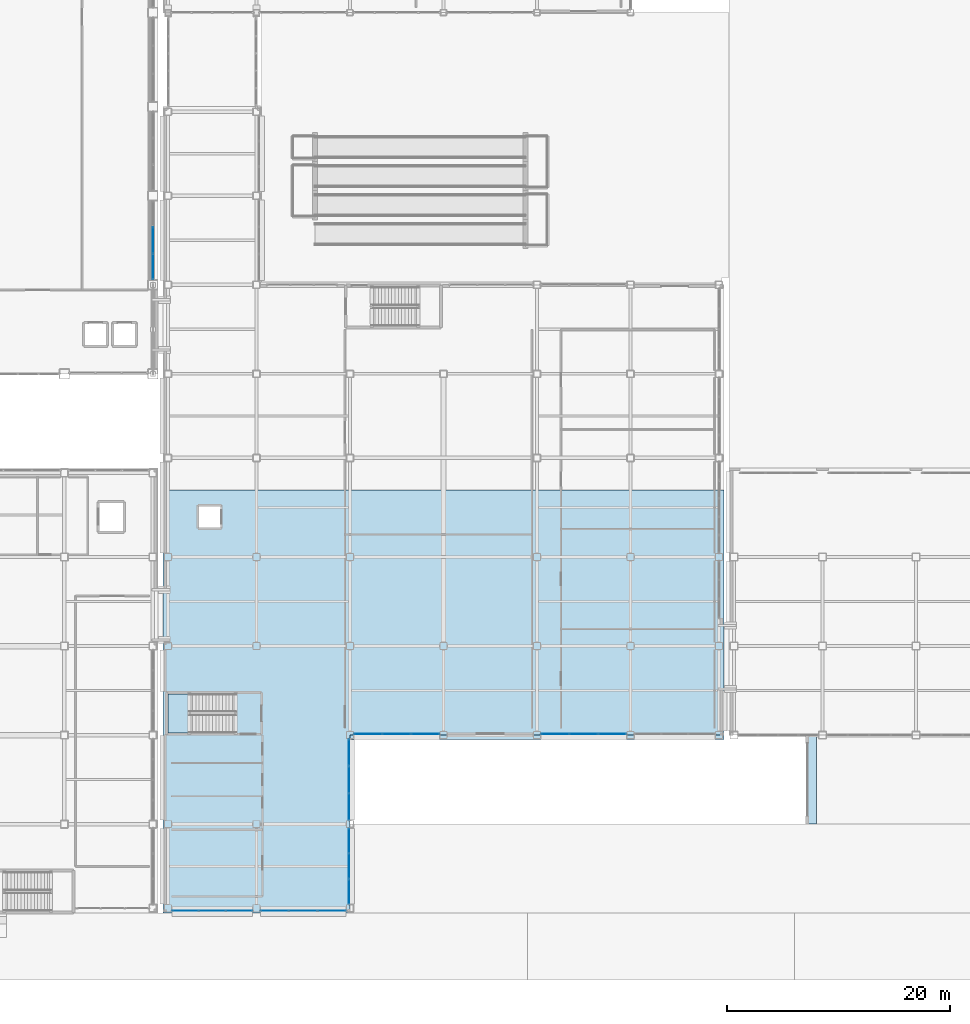
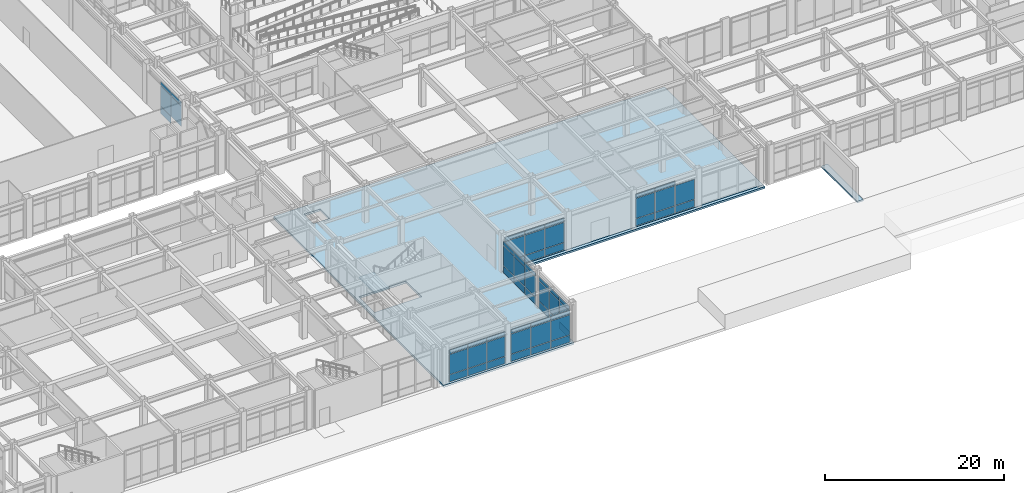
# One storey, part 112 of 165: 58 plates, 4 slabs, 8 elements without a shape of their own.
"""IFC4 building model written with IfcOpenShell, lengths in metres."""

from ifc_helpers import new_model, si_unit, direction, frame, origin, origin_2d, place, context, subcontext, project, spatial, polyline, rectangle, outline, extrude, material, layer, layer_set, type_object, element, aggregate, save


model = new_model("IFC4")

# Units and contexts
model_context = context("Model", 3, precision=1e-05, world=origin(), true_north=direction((0.0, 1.0)))
body_context = subcontext(model_context, "Body", "Model", "MODEL_VIEW")
ifc_project = project(units=[si_unit("LENGTHUNIT", "METRE"), si_unit("AREAUNIT", "SQUARE_METRE"), si_unit("VOLUMEUNIT", "CUBIC_METRE"), si_unit("PLANEANGLEUNIT", "RADIAN"), si_unit("MASSUNIT", "GRAM", prefix="KILO")], contexts=[model_context])

# Site, building, storey
site_placement = place(None, origin())
site = spatial("IfcSite", under=ifc_project, at=site_placement, CompositionType="ELEMENT")
building_placement = place(site_placement, origin())
building = spatial("IfcBuilding", under=site, at=building_placement, Name="Kazehara Bluff Congress Hotel", CompositionType="ELEMENT")
storey_placement = place(building_placement, origin())
storey = spatial("IfcBuildingStorey", under=building, at=storey_placement, Name="L00", CompositionType="ELEMENT", Elevation=0.0)

# Curtain wall, plates
ifc_material_1 = material(Name="Anodised aluminium", Category="aluminium")
ifc_layer_1 = layer(ifc_material_1, 0.159912109375)
ifc_layer_set_1 = layer_set([ifc_layer_1], Name="Anodised aluminium")
curtain_wall_type_1 = type_object("IfcCurtainWallType", Name="TP-CW-17", PredefinedType="NOTDEFINED", material=ifc_layer_set_1)
curtain_wall_1_placement = place(storey_placement, origin())
curtain_wall_1 = element("IfcCurtainWall", 1, at=curtain_wall_1_placement, inside=storey, type_object=curtain_wall_type_1, Name="L00 curtain wall CW-17 CW-V1-L00-X5835-5690", PredefinedType="NOTDEFINED")
ifc_material_2 = material(Name="Insulated low-E double glazing", Category="glass")
ifc_layer_2 = layer(ifc_material_2, 0.031982421875)
ifc_layer_set_2 = layer_set([ifc_layer_2], Name="Insulated low-E double glazing")
plate_type = type_object("IfcPlateType", Name="TP-CWP-02", PredefinedType="CURTAIN_PANEL", material=ifc_layer_set_2)
plate_1_placement = place(storey_placement, frame((58.35009765625, 58.100830078125, 1.08251953125), z_axis=(0.0, 0.0, 1.0), x_axis=(0.0, 1.0, 0.0)))
plate_1 = element("IfcPlate", 2, at=plate_1_placement, type_object=plate_type, Name="CW-17 panel 1.2", PredefinedType="CURTAIN_PANEL", context=body_context, shape_type="SweptSolid", body=[
    extrude(rectangle(XDim=2.26171875, YDim=0.031982421875, at=origin_2d()), origin(), (0.0, 0.0, 1.0), 2.7099609375),
])
plate_2_placement = place(storey_placement, frame((58.35009765625, 58.100830078125, 3.857421875), z_axis=(0.0, 0.0, 1.0), x_axis=(0.0, 1.0, 0.0)))
plate_2 = element("IfcPlate", 3, at=plate_2_placement, type_object=plate_type, Name="CW-17 panel 1.3", PredefinedType="CURTAIN_PANEL", context=body_context, shape_type="SweptSolid", body=[
    extrude(rectangle(XDim=2.26171875, YDim=0.031982421875, at=origin_2d()), origin(), (0.0, 0.0, 1.0), 0.552490234375),
])
plate_3_placement = place(storey_placement, frame((58.35009765625, 60.449951171875, 0.06494140625), z_axis=(0.0, 0.0, 1.0), x_axis=(0.0, 1.0, 0.0)))
plate_3 = element("IfcPlate", 4, at=plate_3_placement, type_object=plate_type, Name="CW-17 panel 2.1", PredefinedType="CURTAIN_PANEL", context=body_context, shape_type="SweptSolid", body=[
    extrude(rectangle(XDim=2.296630859375, YDim=0.031982421875, at=origin_2d()), origin(), (0.0, 0.0, 1.0), 0.952392578125),
])
plate_4_placement = place(storey_placement, frame((58.35009765625, 60.449951171875, 1.08251953125), z_axis=(0.0, 0.0, 1.0), x_axis=(0.0, 1.0, 0.0)))
plate_4 = element("IfcPlate", 5, at=plate_4_placement, type_object=plate_type, Name="CW-17 panel 2.2", PredefinedType="CURTAIN_PANEL", context=body_context, shape_type="SweptSolid", body=[
    extrude(rectangle(XDim=2.296630859375, YDim=0.031982421875, at=origin_2d()), origin(), (0.0, 0.0, 1.0), 2.7099609375),
])
plate_5_placement = place(storey_placement, frame((58.35009765625, 60.449951171875, 3.857421875), z_axis=(0.0, 0.0, 1.0), x_axis=(0.0, 1.0, 0.0)))
plate_5 = element("IfcPlate", 6, at=plate_5_placement, type_object=plate_type, Name="CW-17 panel 2.3", PredefinedType="CURTAIN_PANEL", context=body_context, shape_type="SweptSolid", body=[
    extrude(rectangle(XDim=2.296630859375, YDim=0.031982421875, at=origin_2d()), origin(), (0.0, 0.0, 1.0), 0.552490234375),
])
aggregate(curtain_wall_1, [plate_1, plate_2, plate_3, plate_4, plate_5])

ifc_material_3 = material(Name="Anodised aluminium", Category="aluminium")
ifc_layer_3 = layer(ifc_material_3, 0.159912109375)
ifc_layer_set_3 = layer_set([ifc_layer_3], Name="Anodised aluminium")
curtain_wall_type_2 = type_object("IfcCurtainWallType", Name="TP-CW-32", PredefinedType="NOTDEFINED", material=ifc_layer_set_3)
curtain_wall_2_placement = place(storey_placement, origin())
curtain_wall_2 = element("IfcCurtainWall", 7, at=curtain_wall_2_placement, inside=storey, type_object=curtain_wall_type_2, Name="L00 curtain wall CW-32 CW-ENC-V4-L00-6368-22", PredefinedType="NOTDEFINED")
plate_6_placement = place(storey_placement, frame((66.0908203125, 0.219970703125, 0.06494140625), z_axis=(0.0, 0.0, 1.0), x_axis=(-1.0, 0.0, 0.0)))
plate_6 = element("IfcPlate", 8, at=plate_6_placement, type_object=plate_type, Name="CW-32 panel 1.1", PredefinedType="CURTAIN_PANEL", context=body_context, shape_type="SweptSolid", body=[
    extrude(rectangle(XDim=2.328369140625, YDim=0.031982421875, at=origin_2d()), origin(), (0.0, 0.0, 1.0), 0.952392578125),
])
plate_7_placement = place(storey_placement, frame((66.0908203125, 0.219970703125, 1.08251953125), z_axis=(0.0, 0.0, 1.0), x_axis=(-1.0, 0.0, 0.0)))
plate_7 = element("IfcPlate", 9, at=plate_7_placement, type_object=plate_type, Name="CW-32 panel 1.2", PredefinedType="CURTAIN_PANEL", context=body_context, shape_type="SweptSolid", body=[
    extrude(rectangle(XDim=2.328369140625, YDim=0.031982421875, at=origin_2d()), origin(), (0.0, 0.0, 1.0), 2.7099609375),
])
plate_8_placement = place(storey_placement, frame((66.0908203125, 0.219970703125, 3.857421875), z_axis=(0.0, 0.0, 1.0), x_axis=(-1.0, 0.0, 0.0)))
plate_8 = element("IfcPlate", 10, at=plate_8_placement, type_object=plate_type, Name="CW-32 panel 1.3", PredefinedType="CURTAIN_PANEL", context=body_context, shape_type="SweptSolid", body=[
    extrude(rectangle(XDim=2.328369140625, YDim=0.031982421875, at=origin_2d()), origin(), (0.0, 0.0, 1.0), 0.552490234375),
])
plate_9_placement = place(storey_placement, frame((63.675048828125, 0.219970703125, 0.06494140625), z_axis=(0.0, 0.0, 1.0), x_axis=(-1.0, 0.0, 0.0)))
plate_9 = element("IfcPlate", 11, at=plate_9_placement, type_object=plate_type, Name="CW-32 panel 2.1", PredefinedType="CURTAIN_PANEL", context=body_context, shape_type="SweptSolid", body=[
    extrude(rectangle(XDim=2.36328125, YDim=0.031982421875, at=origin_2d()), origin(), (0.0, 0.0, 1.0), 0.952392578125),
])
plate_10_placement = place(storey_placement, frame((63.675048828125, 0.219970703125, 1.08251953125), z_axis=(0.0, 0.0, 1.0), x_axis=(-1.0, 0.0, 0.0)))
plate_10 = element("IfcPlate", 12, at=plate_10_placement, type_object=plate_type, Name="CW-32 panel 2.2", PredefinedType="CURTAIN_PANEL", context=body_context, shape_type="SweptSolid", body=[
    extrude(rectangle(XDim=2.36328125, YDim=0.031982421875, at=origin_2d()), origin(), (0.0, 0.0, 1.0), 2.7099609375),
])
plate_11_placement = place(storey_placement, frame((63.675048828125, 0.219970703125, 3.857421875), z_axis=(0.0, 0.0, 1.0), x_axis=(-1.0, 0.0, 0.0)))
plate_11 = element("IfcPlate", 13, at=plate_11_placement, type_object=plate_type, Name="CW-32 panel 2.3", PredefinedType="CURTAIN_PANEL", context=body_context, shape_type="SweptSolid", body=[
    extrude(rectangle(XDim=2.36328125, YDim=0.031982421875, at=origin_2d()), origin(), (0.0, 0.0, 1.0), 0.552490234375),
])
plate_12_placement = place(storey_placement, frame((61.25927734375, 0.219970703125, 0.06494140625), z_axis=(0.0, 0.0, 1.0), x_axis=(-1.0, 0.0, 0.0)))
plate_12 = element("IfcPlate", 14, at=plate_12_placement, type_object=plate_type, Name="CW-32 panel 3.1", PredefinedType="CURTAIN_PANEL", context=body_context, shape_type="SweptSolid", body=[
    extrude(rectangle(XDim=2.328369140625, YDim=0.031982421875, at=origin_2d()), origin(), (0.0, 0.0, 1.0), 0.952392578125),
])
plate_13_placement = place(storey_placement, frame((61.25927734375, 0.219970703125, 1.08251953125), z_axis=(0.0, 0.0, 1.0), x_axis=(-1.0, 0.0, 0.0)))
plate_13 = element("IfcPlate", 15, at=plate_13_placement, type_object=plate_type, Name="CW-32 panel 3.2", PredefinedType="CURTAIN_PANEL", context=body_context, shape_type="SweptSolid", body=[
    extrude(rectangle(XDim=2.328369140625, YDim=0.031982421875, at=origin_2d()), origin(), (0.0, 0.0, 1.0), 2.7099609375),
])
plate_14_placement = place(storey_placement, frame((61.25927734375, 0.219970703125, 3.857421875), z_axis=(0.0, 0.0, 1.0), x_axis=(-1.0, 0.0, 0.0)))
plate_14 = element("IfcPlate", 16, at=plate_14_placement, type_object=plate_type, Name="CW-32 panel 3.3", PredefinedType="CURTAIN_PANEL", context=body_context, shape_type="SweptSolid", body=[
    extrude(rectangle(XDim=2.328369140625, YDim=0.031982421875, at=origin_2d()), origin(), (0.0, 0.0, 1.0), 0.552490234375),
])
aggregate(curtain_wall_2, [plate_6, plate_7, plate_8, plate_9, plate_10, plate_11, plate_12, plate_13, plate_14])

ifc_material_4 = material(Name="Anodised aluminium", Category="aluminium")
ifc_layer_4 = layer(ifc_material_4, 0.159912109375)
ifc_layer_set_4 = layer_set([ifc_layer_4], Name="Anodised aluminium")
curtain_wall_type_3 = type_object("IfcCurtainWallType", Name="TP-CW-69", PredefinedType="NOTDEFINED", material=ifc_layer_set_4)
curtain_wall_3_placement = place(storey_placement, origin())
curtain_wall_3 = element("IfcCurtainWall", 17, at=curtain_wall_3_placement, inside=storey, type_object=curtain_wall_type_3, Name="L00 curtain wall CW-69 CW-ENC-V4-L00-7185-22", PredefinedType="NOTDEFINED")
plate_15_placement = place(storey_placement, frame((74.415771484375, 0.219970703125, 0.06494140625), z_axis=(0.0, 0.0, 1.0), x_axis=(-1.0, 0.0, 0.0)))
plate_15 = element("IfcPlate", 18, at=plate_15_placement, type_object=plate_type, Name="CW-69 panel 1.1", PredefinedType="CURTAIN_PANEL", context=body_context, shape_type="SweptSolid", body=[
    extrude(rectangle(XDim=2.478271484375, YDim=0.031982421875, at=origin_2d()), origin(), (0.0, 0.0, 1.0), 0.952392578125),
])
plate_16_placement = place(storey_placement, frame((74.415771484375, 0.219970703125, 1.08251953125), z_axis=(0.0, 0.0, 1.0), x_axis=(-1.0, 0.0, 0.0)))
plate_16 = element("IfcPlate", 19, at=plate_16_placement, type_object=plate_type, Name="CW-69 panel 1.2", PredefinedType="CURTAIN_PANEL", context=body_context, shape_type="SweptSolid", body=[
    extrude(rectangle(XDim=2.478271484375, YDim=0.031982421875, at=origin_2d()), origin(), (0.0, 0.0, 1.0), 2.7099609375),
])
plate_17_placement = place(storey_placement, frame((74.415771484375, 0.219970703125, 3.857421875), z_axis=(0.0, 0.0, 1.0), x_axis=(-1.0, 0.0, 0.0)))
plate_17 = element("IfcPlate", 20, at=plate_17_placement, type_object=plate_type, Name="CW-69 panel 1.3", PredefinedType="CURTAIN_PANEL", context=body_context, shape_type="SweptSolid", body=[
    extrude(rectangle(XDim=2.478271484375, YDim=0.031982421875, at=origin_2d()), origin(), (0.0, 0.0, 1.0), 0.552490234375),
])
plate_18_placement = place(storey_placement, frame((71.85009765625, 0.219970703125, 0.06494140625), z_axis=(0.0, 0.0, 1.0), x_axis=(-1.0, 0.0, 0.0)))
plate_18 = element("IfcPlate", 21, at=plate_18_placement, type_object=plate_type, Name="CW-69 panel 2.1", PredefinedType="CURTAIN_PANEL", context=body_context, shape_type="SweptSolid", body=[
    extrude(rectangle(XDim=2.513427734375, YDim=0.031982421875, at=origin_2d()), origin(), (0.0, 0.0, 1.0), 0.952392578125),
])
plate_19_placement = place(storey_placement, frame((71.85009765625, 0.219970703125, 1.08251953125), z_axis=(0.0, 0.0, 1.0), x_axis=(-1.0, 0.0, 0.0)))
plate_19 = element("IfcPlate", 22, at=plate_19_placement, type_object=plate_type, Name="CW-69 panel 2.2", PredefinedType="CURTAIN_PANEL", context=body_context, shape_type="SweptSolid", body=[
    extrude(rectangle(XDim=2.513427734375, YDim=0.031982421875, at=origin_2d()), origin(), (0.0, 0.0, 1.0), 2.7099609375),
])
plate_20_placement = place(storey_placement, frame((71.85009765625, 0.219970703125, 3.857421875), z_axis=(0.0, 0.0, 1.0), x_axis=(-1.0, 0.0, 0.0)))
plate_20 = element("IfcPlate", 23, at=plate_20_placement, type_object=plate_type, Name="CW-69 panel 2.3", PredefinedType="CURTAIN_PANEL", context=body_context, shape_type="SweptSolid", body=[
    extrude(rectangle(XDim=2.513427734375, YDim=0.031982421875, at=origin_2d()), origin(), (0.0, 0.0, 1.0), 0.552490234375),
])
plate_21_placement = place(storey_placement, frame((69.2841796875, 0.219970703125, 0.06494140625), z_axis=(0.0, 0.0, 1.0), x_axis=(-1.0, 0.0, 0.0)))
plate_21 = element("IfcPlate", 24, at=plate_21_placement, type_object=plate_type, Name="CW-69 panel 3.1", PredefinedType="CURTAIN_PANEL", context=body_context, shape_type="SweptSolid", body=[
    extrude(rectangle(XDim=2.478271484375, YDim=0.031982421875, at=origin_2d()), origin(), (0.0, 0.0, 1.0), 0.952392578125),
])
plate_22_placement = place(storey_placement, frame((69.2841796875, 0.219970703125, 1.08251953125), z_axis=(0.0, 0.0, 1.0), x_axis=(-1.0, 0.0, 0.0)))
plate_22 = element("IfcPlate", 25, at=plate_22_placement, type_object=plate_type, Name="CW-69 panel 3.2", PredefinedType="CURTAIN_PANEL", context=body_context, shape_type="SweptSolid", body=[
    extrude(rectangle(XDim=2.478271484375, YDim=0.031982421875, at=origin_2d()), origin(), (0.0, 0.0, 1.0), 2.7099609375),
])
plate_23_placement = place(storey_placement, frame((69.2841796875, 0.219970703125, 3.857421875), z_axis=(0.0, 0.0, 1.0), x_axis=(-1.0, 0.0, 0.0)))
plate_23 = element("IfcPlate", 26, at=plate_23_placement, type_object=plate_type, Name="CW-69 panel 3.3", PredefinedType="CURTAIN_PANEL", context=body_context, shape_type="SweptSolid", body=[
    extrude(rectangle(XDim=2.478271484375, YDim=0.031982421875, at=origin_2d()), origin(), (0.0, 0.0, 1.0), 0.552490234375),
])
aggregate(curtain_wall_3, [plate_15, plate_16, plate_17, plate_18, plate_19, plate_20, plate_21, plate_22, plate_23])

ifc_material_5 = material(Name="Anodised aluminium", Category="aluminium")
ifc_layer_5 = layer(ifc_material_5, 0.159912109375)
ifc_layer_set_5 = layer_set([ifc_layer_5], Name="Anodised aluminium")
curtain_wall_type_4 = type_object("IfcCurtainWallType", Name="TP-CW-51", PredefinedType="NOTDEFINED", material=ifc_layer_set_5)
curtain_wall_4_placement = place(storey_placement, origin())
curtain_wall_4 = element("IfcCurtainWall", 27, at=curtain_wall_4_placement, inside=storey, type_object=curtain_wall_type_4, Name="L00 curtain wall CW-51 CW-ENC-V4-L00-7595-422", PredefinedType="NOTDEFINED")
plate_24_placement = place(storey_placement, frame((75.949951171875, 6.507568359375, 0.06494140625), z_axis=(0.0, 0.0, 1.0), x_axis=(0.0, -1.0, 0.0)))
plate_24 = element("IfcPlate", 28, at=plate_24_placement, type_object=plate_type, Name="CW-51 panel 1.1", PredefinedType="CURTAIN_PANEL", context=body_context, shape_type="SweptSolid", body=[
    extrude(rectangle(XDim=2.195068359375, YDim=0.031982421875, at=origin_2d()), origin(), (0.0, 0.0, 1.0), 0.952392578125),
])
plate_25_placement = place(storey_placement, frame((75.949951171875, 6.507568359375, 1.08251953125), z_axis=(0.0, 0.0, 1.0), x_axis=(0.0, -1.0, 0.0)))
plate_25 = element("IfcPlate", 29, at=plate_25_placement, type_object=plate_type, Name="CW-51 panel 1.2", PredefinedType="CURTAIN_PANEL", context=body_context, shape_type="SweptSolid", body=[
    extrude(rectangle(XDim=2.195068359375, YDim=0.031982421875, at=origin_2d()), origin(), (0.0, 0.0, 1.0), 2.7099609375),
])
plate_26_placement = place(storey_placement, frame((75.949951171875, 6.507568359375, 3.857421875), z_axis=(0.0, 0.0, 1.0), x_axis=(0.0, -1.0, 0.0)))
plate_26 = element("IfcPlate", 30, at=plate_26_placement, type_object=plate_type, Name="CW-51 panel 1.3", PredefinedType="CURTAIN_PANEL", context=body_context, shape_type="SweptSolid", body=[
    extrude(rectangle(XDim=2.195068359375, YDim=0.031982421875, at=origin_2d()), origin(), (0.0, 0.0, 1.0), 0.552490234375),
])
plate_27_placement = place(storey_placement, frame((75.949951171875, 4.22509765625, 0.06494140625), z_axis=(0.0, 0.0, 1.0), x_axis=(0.0, -1.0, 0.0)))
plate_27 = element("IfcPlate", 31, at=plate_27_placement, type_object=plate_type, Name="CW-51 panel 2.1", PredefinedType="CURTAIN_PANEL", context=body_context, shape_type="SweptSolid", body=[
    extrude(rectangle(XDim=2.22998046875, YDim=0.031982421875, at=origin_2d()), origin(), (0.0, 0.0, 1.0), 0.952392578125),
])
plate_28_placement = place(storey_placement, frame((75.949951171875, 4.22509765625, 1.08251953125), z_axis=(0.0, 0.0, 1.0), x_axis=(0.0, -1.0, 0.0)))
plate_28 = element("IfcPlate", 32, at=plate_28_placement, type_object=plate_type, Name="CW-51 panel 2.2", PredefinedType="CURTAIN_PANEL", context=body_context, shape_type="SweptSolid", body=[
    extrude(rectangle(XDim=2.22998046875, YDim=0.031982421875, at=origin_2d()), origin(), (0.0, 0.0, 1.0), 2.7099609375),
])
plate_29_placement = place(storey_placement, frame((75.949951171875, 4.22509765625, 3.857421875), z_axis=(0.0, 0.0, 1.0), x_axis=(0.0, -1.0, 0.0)))
plate_29 = element("IfcPlate", 33, at=plate_29_placement, type_object=plate_type, Name="CW-51 panel 2.3", PredefinedType="CURTAIN_PANEL", context=body_context, shape_type="SweptSolid", body=[
    extrude(rectangle(XDim=2.22998046875, YDim=0.031982421875, at=origin_2d()), origin(), (0.0, 0.0, 1.0), 0.552490234375),
])
plate_30_placement = place(storey_placement, frame((75.949951171875, 1.9423828125, 0.06494140625), z_axis=(0.0, 0.0, 1.0), x_axis=(0.0, -1.0, 0.0)))
plate_30 = element("IfcPlate", 34, at=plate_30_placement, type_object=plate_type, Name="CW-51 panel 3.1", PredefinedType="CURTAIN_PANEL", context=body_context, shape_type="SweptSolid", body=[
    extrude(rectangle(XDim=2.195068359375, YDim=0.031982421875, at=origin_2d()), origin(), (0.0, 0.0, 1.0), 0.952392578125),
])
plate_31_placement = place(storey_placement, frame((75.949951171875, 1.9423828125, 1.08251953125), z_axis=(0.0, 0.0, 1.0), x_axis=(0.0, -1.0, 0.0)))
plate_31 = element("IfcPlate", 35, at=plate_31_placement, type_object=plate_type, Name="CW-51 panel 3.2", PredefinedType="CURTAIN_PANEL", context=body_context, shape_type="SweptSolid", body=[
    extrude(rectangle(XDim=2.195068359375, YDim=0.031982421875, at=origin_2d()), origin(), (0.0, 0.0, 1.0), 2.7099609375),
])
plate_32_placement = place(storey_placement, frame((75.949951171875, 1.9423828125, 3.857421875), z_axis=(0.0, 0.0, 1.0), x_axis=(0.0, -1.0, 0.0)))
plate_32 = element("IfcPlate", 36, at=plate_32_placement, type_object=plate_type, Name="CW-51 panel 3.3", PredefinedType="CURTAIN_PANEL", context=body_context, shape_type="SweptSolid", body=[
    extrude(rectangle(XDim=2.195068359375, YDim=0.031982421875, at=origin_2d()), origin(), (0.0, 0.0, 1.0), 0.552490234375),
])
aggregate(curtain_wall_4, [plate_24, plate_25, plate_26, plate_27, plate_28, plate_29, plate_30, plate_31, plate_32])

ifc_material_6 = material(Name="Anodised aluminium", Category="aluminium")
ifc_layer_6 = layer(ifc_material_6, 0.159912109375)
ifc_layer_set_6 = layer_set([ifc_layer_6], Name="Anodised aluminium")
curtain_wall_type_5 = type_object("IfcCurtainWallType", Name="TP-CW-52", PredefinedType="NOTDEFINED", material=ifc_layer_set_6)
curtain_wall_5_placement = place(storey_placement, origin())
curtain_wall_5 = element("IfcCurtainWall", 37, at=curtain_wall_5_placement, inside=storey, type_object=curtain_wall_type_5, Name="L00 curtain wall CW-52 CW-ENC-V4-L00-7595-1200", PredefinedType="NOTDEFINED")
plate_33_placement = place(storey_placement, frame((75.949951171875, 14.4326171875, 0.06494140625), z_axis=(0.0, 0.0, 1.0), x_axis=(0.0, -1.0, 0.0)))
plate_33 = element("IfcPlate", 38, at=plate_33_placement, type_object=plate_type, Name="CW-52 panel 1.1", PredefinedType="CURTAIN_PANEL", context=body_context, shape_type="SweptSolid", body=[
    extrude(rectangle(XDim=2.344970703125, YDim=0.031982421875, at=origin_2d()), origin(), (0.0, 0.0, 1.0), 0.952392578125),
])
plate_34_placement = place(storey_placement, frame((75.949951171875, 14.4326171875, 1.08251953125), z_axis=(0.0, 0.0, 1.0), x_axis=(0.0, -1.0, 0.0)))
plate_34 = element("IfcPlate", 39, at=plate_34_placement, type_object=plate_type, Name="CW-52 panel 1.2", PredefinedType="CURTAIN_PANEL", context=body_context, shape_type="SweptSolid", body=[
    extrude(rectangle(XDim=2.344970703125, YDim=0.031982421875, at=origin_2d()), origin(), (0.0, 0.0, 1.0), 2.7099609375),
])
plate_35_placement = place(storey_placement, frame((75.949951171875, 14.4326171875, 3.857421875), z_axis=(0.0, 0.0, 1.0), x_axis=(0.0, -1.0, 0.0)))
plate_35 = element("IfcPlate", 40, at=plate_35_placement, type_object=plate_type, Name="CW-52 panel 1.3", PredefinedType="CURTAIN_PANEL", context=body_context, shape_type="SweptSolid", body=[
    extrude(rectangle(XDim=2.344970703125, YDim=0.031982421875, at=origin_2d()), origin(), (0.0, 0.0, 1.0), 0.552490234375),
])
plate_36_placement = place(storey_placement, frame((75.949951171875, 12.0, 0.06494140625), z_axis=(0.0, 0.0, 1.0), x_axis=(0.0, -1.0, 0.0)))
plate_36 = element("IfcPlate", 41, at=plate_36_placement, type_object=plate_type, Name="CW-52 panel 2.1", PredefinedType="CURTAIN_PANEL", context=body_context, shape_type="SweptSolid", body=[
    extrude(rectangle(XDim=2.3798828125, YDim=0.031982421875, at=origin_2d()), origin(), (0.0, 0.0, 1.0), 0.952392578125),
])
plate_37_placement = place(storey_placement, frame((75.949951171875, 12.0, 1.08251953125), z_axis=(0.0, 0.0, 1.0), x_axis=(0.0, -1.0, 0.0)))
plate_37 = element("IfcPlate", 42, at=plate_37_placement, type_object=plate_type, Name="CW-52 panel 2.2", PredefinedType="CURTAIN_PANEL", context=body_context, shape_type="SweptSolid", body=[
    extrude(rectangle(XDim=2.3798828125, YDim=0.031982421875, at=origin_2d()), origin(), (0.0, 0.0, 1.0), 2.7099609375),
])
plate_38_placement = place(storey_placement, frame((75.949951171875, 12.0, 3.857421875), z_axis=(0.0, 0.0, 1.0), x_axis=(0.0, -1.0, 0.0)))
plate_38 = element("IfcPlate", 43, at=plate_38_placement, type_object=plate_type, Name="CW-52 panel 2.3", PredefinedType="CURTAIN_PANEL", context=body_context, shape_type="SweptSolid", body=[
    extrude(rectangle(XDim=2.3798828125, YDim=0.031982421875, at=origin_2d()), origin(), (0.0, 0.0, 1.0), 0.552490234375),
])
plate_39_placement = place(storey_placement, frame((75.949951171875, 9.5673828125, 0.06494140625), z_axis=(0.0, 0.0, 1.0), x_axis=(0.0, -1.0, 0.0)))
plate_39 = element("IfcPlate", 44, at=plate_39_placement, type_object=plate_type, Name="CW-52 panel 3.1", PredefinedType="CURTAIN_PANEL", context=body_context, shape_type="SweptSolid", body=[
    extrude(rectangle(XDim=2.344970703125, YDim=0.031982421875, at=origin_2d()), origin(), (0.0, 0.0, 1.0), 0.952392578125),
])
plate_40_placement = place(storey_placement, frame((75.949951171875, 9.5673828125, 1.08251953125), z_axis=(0.0, 0.0, 1.0), x_axis=(0.0, -1.0, 0.0)))
plate_40 = element("IfcPlate", 45, at=plate_40_placement, type_object=plate_type, Name="CW-52 panel 3.2", PredefinedType="CURTAIN_PANEL", context=body_context, shape_type="SweptSolid", body=[
    extrude(rectangle(XDim=2.344970703125, YDim=0.031982421875, at=origin_2d()), origin(), (0.0, 0.0, 1.0), 2.7099609375),
])
plate_41_placement = place(storey_placement, frame((75.949951171875, 9.5673828125, 3.857421875), z_axis=(0.0, 0.0, 1.0), x_axis=(0.0, -1.0, 0.0)))
plate_41 = element("IfcPlate", 46, at=plate_41_placement, type_object=plate_type, Name="CW-52 panel 3.3", PredefinedType="CURTAIN_PANEL", context=body_context, shape_type="SweptSolid", body=[
    extrude(rectangle(XDim=2.344970703125, YDim=0.031982421875, at=origin_2d()), origin(), (0.0, 0.0, 1.0), 0.552490234375),
])
aggregate(curtain_wall_5, [plate_33, plate_34, plate_35, plate_36, plate_37, plate_38, plate_39, plate_40, plate_41])

curtain_wall_6_placement = place(storey_placement, origin())
curtain_wall_6 = element("IfcCurtainWall", 47, at=curtain_wall_6_placement, inside=storey, type_object=curtain_wall_type_3, Name="L00 curtain wall CW-69 CW-ENC-V4-L00-8025-1610", PredefinedType="NOTDEFINED")
plate_42_placement = place(storey_placement, frame((82.81591796875, 16.10009765625, 0.06494140625), z_axis=(0.0, 0.0, 1.0), x_axis=(-1.0, 0.0, 0.0)))
plate_42 = element("IfcPlate", 48, at=plate_42_placement, type_object=plate_type, Name="CW-69 panel 1.1", PredefinedType="CURTAIN_PANEL", context=body_context, shape_type="SweptSolid", body=[
    extrude(rectangle(XDim=2.478271484375, YDim=0.031982421875, at=origin_2d()), origin(), (0.0, 0.0, 1.0), 0.952392578125),
])
plate_43_placement = place(storey_placement, frame((82.81591796875, 16.10009765625, 1.08251953125), z_axis=(0.0, 0.0, 1.0), x_axis=(-1.0, 0.0, 0.0)))
plate_43 = element("IfcPlate", 49, at=plate_43_placement, type_object=plate_type, Name="CW-69 panel 1.2", PredefinedType="CURTAIN_PANEL", context=body_context, shape_type="SweptSolid", body=[
    extrude(rectangle(XDim=2.478271484375, YDim=0.031982421875, at=origin_2d()), origin(), (0.0, 0.0, 1.0), 2.7099609375),
])
plate_44_placement = place(storey_placement, frame((82.81591796875, 16.10009765625, 3.857421875), z_axis=(0.0, 0.0, 1.0), x_axis=(-1.0, 0.0, 0.0)))
plate_44 = element("IfcPlate", 50, at=plate_44_placement, type_object=plate_type, Name="CW-69 panel 1.3", PredefinedType="CURTAIN_PANEL", context=body_context, shape_type="SweptSolid", body=[
    extrude(rectangle(XDim=2.478271484375, YDim=0.031982421875, at=origin_2d()), origin(), (0.0, 0.0, 1.0), 0.552490234375),
])
plate_45_placement = place(storey_placement, frame((80.25, 16.10009765625, 0.06494140625), z_axis=(0.0, 0.0, 1.0), x_axis=(-1.0, 0.0, 0.0)))
plate_45 = element("IfcPlate", 51, at=plate_45_placement, type_object=plate_type, Name="CW-69 panel 2.1", PredefinedType="CURTAIN_PANEL", context=body_context, shape_type="SweptSolid", body=[
    extrude(rectangle(XDim=2.513427734375, YDim=0.031982421875, at=origin_2d()), origin(), (0.0, 0.0, 1.0), 0.952392578125),
])
plate_46_placement = place(storey_placement, frame((80.25, 16.10009765625, 1.08251953125), z_axis=(0.0, 0.0, 1.0), x_axis=(-1.0, 0.0, 0.0)))
plate_46 = element("IfcPlate", 52, at=plate_46_placement, type_object=plate_type, Name="CW-69 panel 2.2", PredefinedType="CURTAIN_PANEL", context=body_context, shape_type="SweptSolid", body=[
    extrude(rectangle(XDim=2.513427734375, YDim=0.031982421875, at=origin_2d()), origin(), (0.0, 0.0, 1.0), 2.7099609375),
])
plate_47_placement = place(storey_placement, frame((80.25, 16.10009765625, 3.857421875), z_axis=(0.0, 0.0, 1.0), x_axis=(-1.0, 0.0, 0.0)))
plate_47 = element("IfcPlate", 53, at=plate_47_placement, type_object=plate_type, Name="CW-69 panel 2.3", PredefinedType="CURTAIN_PANEL", context=body_context, shape_type="SweptSolid", body=[
    extrude(rectangle(XDim=2.513427734375, YDim=0.031982421875, at=origin_2d()), origin(), (0.0, 0.0, 1.0), 0.552490234375),
])
plate_48_placement = place(storey_placement, frame((77.68408203125, 16.10009765625, 0.06494140625), z_axis=(0.0, 0.0, 1.0), x_axis=(-1.0, 0.0, 0.0)))
plate_48 = element("IfcPlate", 54, at=plate_48_placement, type_object=plate_type, Name="CW-69 panel 3.1", PredefinedType="CURTAIN_PANEL", context=body_context, shape_type="SweptSolid", body=[
    extrude(rectangle(XDim=2.478271484375, YDim=0.031982421875, at=origin_2d()), origin(), (0.0, 0.0, 1.0), 0.952392578125),
])
plate_49_placement = place(storey_placement, frame((77.68408203125, 16.10009765625, 1.08251953125), z_axis=(0.0, 0.0, 1.0), x_axis=(-1.0, 0.0, 0.0)))
plate_49 = element("IfcPlate", 55, at=plate_49_placement, type_object=plate_type, Name="CW-69 panel 3.2", PredefinedType="CURTAIN_PANEL", context=body_context, shape_type="SweptSolid", body=[
    extrude(rectangle(XDim=2.478271484375, YDim=0.031982421875, at=origin_2d()), origin(), (0.0, 0.0, 1.0), 2.7099609375),
])
plate_50_placement = place(storey_placement, frame((77.68408203125, 16.10009765625, 3.857421875), z_axis=(0.0, 0.0, 1.0), x_axis=(-1.0, 0.0, 0.0)))
plate_50 = element("IfcPlate", 56, at=plate_50_placement, type_object=plate_type, Name="CW-69 panel 3.3", PredefinedType="CURTAIN_PANEL", context=body_context, shape_type="SweptSolid", body=[
    extrude(rectangle(XDim=2.478271484375, YDim=0.031982421875, at=origin_2d()), origin(), (0.0, 0.0, 1.0), 0.552490234375),
])
aggregate(curtain_wall_6, [plate_42, plate_43, plate_44, plate_45, plate_46, plate_47, plate_48, plate_49, plate_50])

curtain_wall_7_placement = place(storey_placement, origin())
curtain_wall_7 = element("IfcCurtainWall", 57, at=curtain_wall_7_placement, inside=storey, type_object=curtain_wall_type_3, Name="L00 curtain wall CW-69 CW-ENC-V4-L00-9705-1610", PredefinedType="NOTDEFINED")
plate_51_placement = place(storey_placement, frame((99.61572265625, 16.10009765625, 0.06494140625), z_axis=(0.0, 0.0, 1.0), x_axis=(-1.0, 0.0, 0.0)))
plate_51 = element("IfcPlate", 58, at=plate_51_placement, type_object=plate_type, Name="CW-69 panel 1.1", PredefinedType="CURTAIN_PANEL", context=body_context, shape_type="SweptSolid", body=[
    extrude(rectangle(XDim=2.478271484375, YDim=0.031982421875, at=origin_2d()), origin(), (0.0, 0.0, 1.0), 0.952392578125),
])
plate_52_placement = place(storey_placement, frame((99.61572265625, 16.10009765625, 1.08251953125), z_axis=(0.0, 0.0, 1.0), x_axis=(-1.0, 0.0, 0.0)))
plate_52 = element("IfcPlate", 59, at=plate_52_placement, type_object=plate_type, Name="CW-69 panel 1.2", PredefinedType="CURTAIN_PANEL", context=body_context, shape_type="SweptSolid", body=[
    extrude(rectangle(XDim=2.478271484375, YDim=0.031982421875, at=origin_2d()), origin(), (0.0, 0.0, 1.0), 2.7099609375),
])
plate_53_placement = place(storey_placement, frame((97.050048828125, 16.10009765625, 0.06494140625), z_axis=(0.0, 0.0, 1.0), x_axis=(-1.0, 0.0, 0.0)))
plate_53 = element("IfcPlate", 60, at=plate_53_placement, type_object=plate_type, Name="CW-69 panel 2.1", PredefinedType="CURTAIN_PANEL", context=body_context, shape_type="SweptSolid", body=[
    extrude(rectangle(XDim=2.513427734375, YDim=0.031982421875, at=origin_2d()), origin(), (0.0, 0.0, 1.0), 0.952392578125),
])
plate_54_placement = place(storey_placement, frame((97.050048828125, 16.10009765625, 1.08251953125), z_axis=(0.0, 0.0, 1.0), x_axis=(-1.0, 0.0, 0.0)))
plate_54 = element("IfcPlate", 61, at=plate_54_placement, type_object=plate_type, Name="CW-69 panel 2.2", PredefinedType="CURTAIN_PANEL", context=body_context, shape_type="SweptSolid", body=[
    extrude(rectangle(XDim=2.513427734375, YDim=0.031982421875, at=origin_2d()), origin(), (0.0, 0.0, 1.0), 2.7099609375),
])
plate_55_placement = place(storey_placement, frame((97.050048828125, 16.10009765625, 3.857421875), z_axis=(0.0, 0.0, 1.0), x_axis=(-1.0, 0.0, 0.0)))
plate_55 = element("IfcPlate", 62, at=plate_55_placement, type_object=plate_type, Name="CW-69 panel 2.3", PredefinedType="CURTAIN_PANEL", context=body_context, shape_type="SweptSolid", body=[
    extrude(rectangle(XDim=2.513427734375, YDim=0.031982421875, at=origin_2d()), origin(), (0.0, 0.0, 1.0), 0.552490234375),
])
plate_56_placement = place(storey_placement, frame((94.484130859375, 16.10009765625, 0.06494140625), z_axis=(0.0, 0.0, 1.0), x_axis=(-1.0, 0.0, 0.0)))
plate_56 = element("IfcPlate", 63, at=plate_56_placement, type_object=plate_type, Name="CW-69 panel 3.1", PredefinedType="CURTAIN_PANEL", context=body_context, shape_type="SweptSolid", body=[
    extrude(rectangle(XDim=2.478271484375, YDim=0.031982421875, at=origin_2d()), origin(), (0.0, 0.0, 1.0), 0.952392578125),
])
plate_57_placement = place(storey_placement, frame((94.484130859375, 16.10009765625, 1.08251953125), z_axis=(0.0, 0.0, 1.0), x_axis=(-1.0, 0.0, 0.0)))
plate_57 = element("IfcPlate", 64, at=plate_57_placement, type_object=plate_type, Name="CW-69 panel 3.2", PredefinedType="CURTAIN_PANEL", context=body_context, shape_type="SweptSolid", body=[
    extrude(rectangle(XDim=2.478271484375, YDim=0.031982421875, at=origin_2d()), origin(), (0.0, 0.0, 1.0), 2.7099609375),
])
plate_58_placement = place(storey_placement, frame((94.484130859375, 16.10009765625, 3.857421875), z_axis=(0.0, 0.0, 1.0), x_axis=(-1.0, 0.0, 0.0)))
plate_58 = element("IfcPlate", 65, at=plate_58_placement, type_object=plate_type, Name="CW-69 panel 3.3", PredefinedType="CURTAIN_PANEL", context=body_context, shape_type="SweptSolid", body=[
    extrude(rectangle(XDim=2.478271484375, YDim=0.031982421875, at=origin_2d()), origin(), (0.0, 0.0, 1.0), 0.552490234375),
])
aggregate(curtain_wall_7, [plate_51, plate_52, plate_53, plate_54, plate_55, plate_56, plate_57, plate_58])

# Slabs
ifc_material_7 = material(Name="Concrete C36/45", Category="concrete")
ifc_layer_7 = layer(ifc_material_7, 0.280029296875)
ifc_layer_set_7 = layer_set([ifc_layer_7], Name="Concrete C36/45")
slab_type_1 = type_object("IfcSlabType", Name="TP-SL-280", PredefinedType="FLOOR", material=ifc_layer_set_7)
slab_1_placement = place(storey_placement, frame((0.0, 0.0, -0.280029296875)))
element("IfcSlab", 66, at=slab_1_placement, inside=storey, type_object=slab_type_1, Name="L00 V4 composite floor slab S", PredefinedType="FLOOR", context=body_context, shape_type="SweptSolid", body=[
    extrude(outline(polyline([(109.64990234375, 16.0), (76.050048828125, 16.0), (76.050048828125, 0.0), (59.25, 0.0), (59.25, 38.0), (109.64990234375, 38.0), (109.64990234375, 16.0)]), holes=[polyline([(65.77490234375, 19.699951171875), (59.699951171875, 19.699951171875), (59.699951171875, 16.199951171875), (65.77490234375, 16.199951171875), (65.77490234375, 19.699951171875)]), polyline([(62.39990234375, 34.550048828125), (64.5, 34.550048828125), (64.5, 36.64990234375), (62.39990234375, 36.64990234375), (62.39990234375, 34.550048828125)])]), origin(), (0.0, 0.0, 1.0), 0.280029296875),
])
ifc_material_8 = material(Name="Concrete C36/45", Category="concrete")
ifc_layer_8 = layer(ifc_material_8, 0.25)
ifc_layer_set_8 = layer_set([ifc_layer_8], Name="Concrete C36/45")
slab_type_2 = type_object("IfcSlabType", Name="TP-SL-APR", PredefinedType="FLOOR", material=ifc_layer_set_8)
slab_2_placement = place(storey_placement, frame((0.0, 0.0, -0.25)))
element("IfcSlab", 67, at=slab_2_placement, inside=storey, type_object=slab_type_2, Name="Concourse south wave threshold", PredefinedType="FLOOR", context=body_context, shape_type="SweptSolid", body=[
    extrude(outline(polyline([(76.050048828125, 15.60009765625), (109.64990234375, 15.60009765625), (109.64990234375, 16.0), (76.050048828125, 16.0), (76.050048828125, 15.60009765625)])), origin(), (0.0, 0.0, 1.0), 0.25),
])
ifc_material_9 = material(Name="Concrete C36/45", Category="concrete")
ifc_layer_9 = layer(ifc_material_9, 0.2099609375)
ifc_layer_set_9 = layer_set([ifc_layer_9], Name="Concrete C36/45")
slab_type_3 = type_object("IfcSlabType", Name="TP-SL-RF1", PredefinedType="ROOF", material=ifc_layer_set_9)
slab_3_placement = place(storey_placement, frame((0.0, 0.0, -0.260009765625)))
element("IfcSlab", 68, at=slab_3_placement, inside=storey, type_object=slab_type_3, Name="Vehicle ramp shutter threshold sub-slab", PredefinedType="ROOF", context=body_context, shape_type="SweptSolid", body=[
    extrude(outline(polyline([(117.14990234375, 8.0), (117.949951171875, 8.0), (117.949951171875, 16.0), (117.14990234375, 16.0), (117.14990234375, 8.0)])), origin(), (0.0, 0.0, 1.0), 0.2099609375),
])

# Stair, slab
ifc_material_10 = material(Name="Concrete C36/45", Category="concrete")
stair_type = type_object("IfcStairType", Name="TP-ST-T01", PredefinedType="HALF_TURN_STAIR", material=ifc_material_10)
stair_placement = place(storey_placement, origin())
stair = element("IfcStair", 69, at=stair_placement, inside=storey, type_object=stair_type, Name="L00 Escape stair ST-08", PredefinedType="HALF_TURN_STAIR")
ifc_material_11 = material(Name="Concrete C36/45", Category="concrete")
ifc_layer_10 = layer(ifc_material_11, 0.199951171875)
ifc_layer_set_10 = layer_set([ifc_layer_10], Name="Concrete C36/45")
slab_type_4 = type_object("IfcSlabType", Name="TP-SLD-200", PredefinedType="LANDING", material=ifc_layer_set_10)
slab_4_placement = place(storey_placement, frame((0.0, 0.0, 2.5)))
slab_4 = element("IfcSlab", 70, at=slab_4_placement, type_object=slab_type_4, Name="ST-08 landing 1", PredefinedType="LANDING", context=body_context, shape_type="SweptSolid", body=[
    extrude(outline(polyline([(61.60009765625, 19.699951171875), (59.699951171875, 19.699951171875), (59.699951171875, 16.199951171875), (61.60009765625, 16.199951171875), (61.60009765625, 19.699951171875)])), origin(), (0.0, 0.0, 1.0), 0.199951171875),
])
aggregate(stair, [slab_4])

save(model, "model.ifc")
